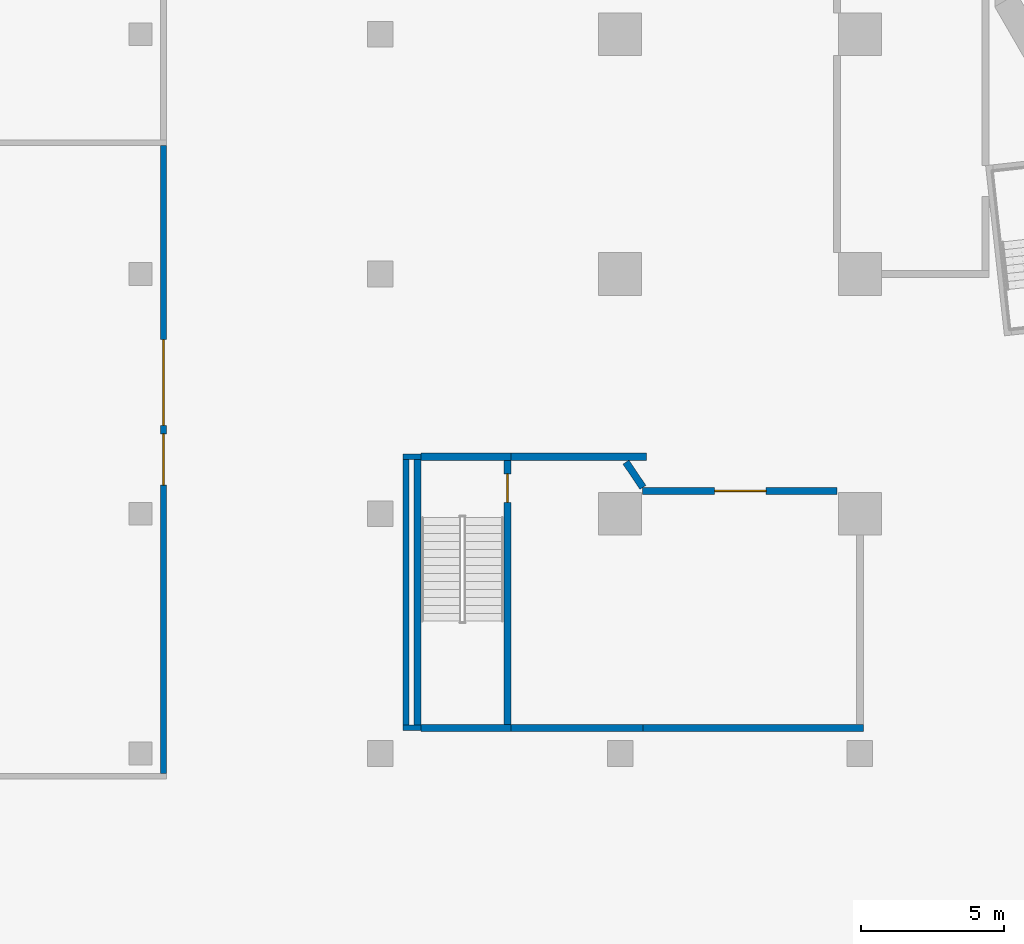
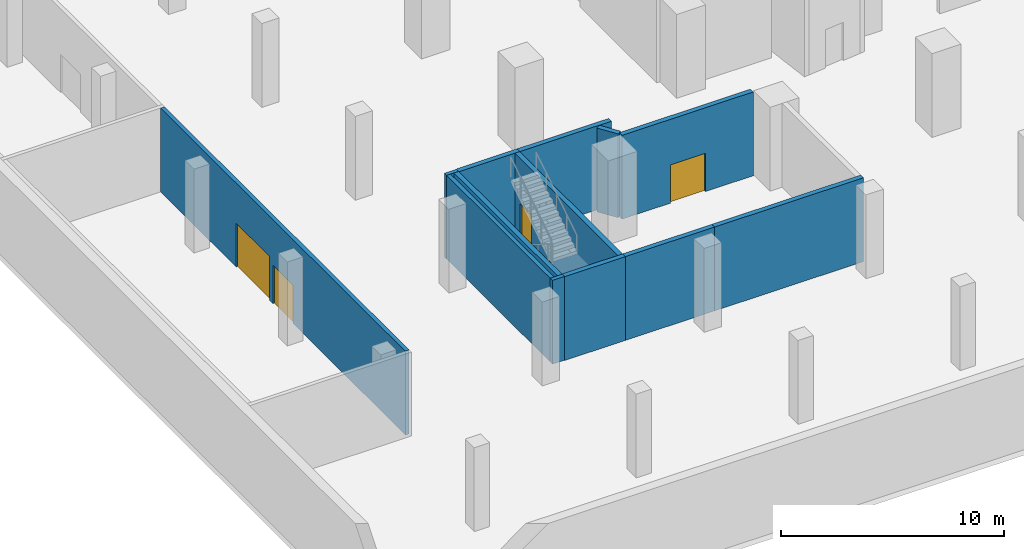
# One storey, part 2 of 20: 13 walls, 4 doors, 4 openings.
"""IFC4 building model written with IfcOpenShell, lengths in metres."""

from ifc_helpers import new_model, si_unit, direction, frame, frame_2d, origin, place, context, subcontext, project, spatial, rectangle, extrude, material, layer, layer_set, type_object, element, fill, save


model = new_model("IFC4")

# Units and contexts
model_context = context("Model", 3, precision=1e-05, world=origin(), true_north=direction((0.0, 1.0)))
body_context = subcontext(model_context, "Body", "Model", "MODEL_VIEW")
ifc_project = project(units=[si_unit("LENGTHUNIT", "METRE"), si_unit("AREAUNIT", "SQUARE_METRE"), si_unit("VOLUMEUNIT", "CUBIC_METRE"), si_unit("PLANEANGLEUNIT", "RADIAN"), si_unit("MASSUNIT", "GRAM", prefix="KILO")], contexts=[model_context])

# Site, building, storey
site_placement = place(None, origin())
site = spatial("IfcSite", under=ifc_project, at=site_placement, CompositionType="ELEMENT")
building_placement = place(site_placement, origin())
building = spatial("IfcBuilding", under=site, at=building_placement, Name="Cantera Rosa Tower", CompositionType="ELEMENT")
storey_placement = place(building_placement, frame((0.0, 0.0, -5.0)))
storey = spatial("IfcBuildingStorey", under=building, at=storey_placement, Name="B1", CompositionType="ELEMENT", Elevation=-5.0)

# Walls
ifc_material_1 = material(Name="Masonry blockwork", Category="masonry")
ifc_layer_1 = layer(ifc_material_1, 0.199951171875)
ifc_layer_set_1 = layer_set([ifc_layer_1], Name="Blockwork partition 200")
wall_type_1 = type_object("IfcWallType", Name="Blockwork partition 200", PredefinedType="PARTITIONING", material=ifc_layer_set_1)
wall_1_placement = place(storey_placement, frame((-32.699951171875, -28.39990234375, 0.0), z_axis=(0.0, 0.0, 1.0), x_axis=(0.0, 1.0, 0.0)))
element("IfcWall", 1, at=wall_1_placement, inside=storey, type_object=wall_type_1, Name="Partition B1-44", PredefinedType="PARTITIONING", context=body_context, shape_type="SweptSolid", body=[
    extrude(rectangle(XDim=9.2998046875, YDim=0.199951171875, at=frame_2d((4.64990234375, 0.0))), origin(), (0.0, 0.0, 1.0), 4.60009765625),
])
for number, where, z_axis, x_axis, name in (
    (2, (-32.800048828125, -19.0, 0.0), (0.0, 0.0, 1.0), (1.0, 0.0, 0.0), "Partition B1-50"),
    (3, (-32.800048828125, -28.5, 0.0), (0.0, 0.0, 1.0), (1.0, 0.0, 0.0), "Partition B1-55"),
):
    element("IfcWall", number, at=place(storey_placement, frame(where, z_axis=z_axis, x_axis=x_axis)), inside=storey, type_object=wall_type_1, Name=name, PredefinedType="PARTITIONING", context=body_context, shape_type="SweptSolid", body=[
        extrude(rectangle(XDim=0.625, YDim=0.199951171875, at=frame_2d((0.3125, 0.0))), origin(), (0.0, 0.0, 1.0), 4.60009765625),
    ])

# Wall, openings, doors
wall_2_placement = place(storey_placement, frame((-41.199951171875, -30.10009765625, 0.0), z_axis=(0.0, 0.0, 1.0), x_axis=(0.0, 1.0, 0.0)))
wall_2 = element("IfcWall", 4, at=wall_2_placement, inside=storey, type_object=wall_type_1, Name="Partition B1-64", PredefinedType="PARTITIONING", context=body_context, shape_type="SweptSolid", body=[
    extrude(rectangle(XDim=22.0, YDim=0.199951171875, at=frame_2d((11.0, 0.0))), origin(), (0.0, 0.0, 1.0), 4.60009765625),
])
opening_1_placement = place(wall_2_placement, frame((10.10009765625, 0.0, 0.0)))
opening_1 = element("IfcOpeningElement", 5, at=opening_1_placement, cuts=wall_2, Name="Opening B1-013", PredefinedType="OPENING", context=body_context, shape_type="SweptSolid", body=[
    extrude(rectangle(XDim=1.800048828125, YDim=2.10009765625, at=frame_2d((0.89990234375, 1.050048828125))), frame((0.0, 0.10986328125, 0.0), z_axis=(0.0, -1.0, 0.0), x_axis=(1.0, 0.0, 0.0)), (0.0, 0.0, 1.0), 0.219970703125),
])
opening_2_placement = place(wall_2_placement, frame((12.199951171875, 0.0, 0.0)))
opening_2 = element("IfcOpeningElement", 6, at=opening_2_placement, cuts=wall_2, Name="Opening B1-014", PredefinedType="OPENING", context=body_context, shape_type="SweptSolid", body=[
    extrude(rectangle(XDim=3.0, YDim=2.39990234375, at=frame_2d((1.5, 1.199951171875))), frame((0.0, 0.10986328125, 0.0), z_axis=(0.0, -1.0, 0.0), x_axis=(1.0, 0.0, 0.0)), (0.0, 0.0, 1.0), 0.219970703125),
])
ifc_material_2 = material(Name="Timber", Category="wood")
door_type_1 = type_object("IfcDoorType", Name="Double door 1800x2100", OperationType="NOTDEFINED", PredefinedType="DOOR", material=ifc_material_2)
door_1_placement = place(opening_1_placement, origin())
door_1 = element("IfcDoor", 7, at=door_1_placement, inside=storey, type_object=door_type_1, Name="Door B1-013", OperationType="DOUBLE_DOOR_SINGLE_SWING", OverallHeight=2.10009765625, OverallWidth=1.800048828125, PredefinedType="DOOR", context=body_context, shape_type="SweptSolid", body=[
    extrude(rectangle(XDim=1.800048828125, YDim=2.10009765625, at=frame_2d((0.89990234375, 1.050048828125))), frame((0.0, 0.02490234375, 0.0), z_axis=(0.0, -1.0, 0.0), x_axis=(1.0, 0.0, 0.0)), (0.0, 0.0, 1.0), 0.050048828125),
])
fill(opening_1, door_1)
ifc_material_3 = material(Name="Steel S355J2 (EN 10025-2)", Category="steel")
door_type_2 = type_object("IfcDoorType", Name="Roller shutter gate 3000x2400", OperationType="NOTDEFINED", PredefinedType="GATE", material=ifc_material_3)
door_2_placement = place(opening_2_placement, origin())
door_2 = element("IfcDoor", 8, at=door_2_placement, inside=storey, type_object=door_type_2, Name="Door B1-014", OperationType="ROLLINGUP", OverallHeight=2.39990234375, OverallWidth=3.0, PredefinedType="GATE", context=body_context, shape_type="SweptSolid", body=[
    extrude(rectangle(XDim=3.0, YDim=2.39990234375, at=frame_2d((1.5, 1.199951171875))), frame((0.0, 0.02490234375, 0.0), z_axis=(0.0, -1.0, 0.0), x_axis=(1.0, 0.0, 0.0)), (0.0, 0.0, 1.0), 0.050048828125),
])
fill(opening_2, door_2)

# Walls
ifc_material_4 = material(Name="Concrete C50/60", Category="concrete")
ifc_layer_2 = layer(ifc_material_4, 0.25)
ifc_layer_set_2 = layer_set([ifc_layer_2], Name="External stair wall 250")
wall_type_2 = type_object("IfcWallType", Name="External stair wall 250", PredefinedType="SOLIDWALL", material=ifc_layer_set_2)
for number, where, z_axis, x_axis, name in (
    (9, (-32.175048828125, -19.0, 0.0), (0.0, 0.0, 1.0), (1.0, 0.0, 0.0), "Stair wall B1-51"),
    (10, (-29.02490234375, -28.5, 0.0), (0.0, 0.0, 1.0), (-1.0, 0.0, 0.0), "Stair wall B1-56"),
):
    element("IfcWall", number, at=place(storey_placement, frame(where, z_axis=z_axis, x_axis=x_axis)), inside=storey, type_object=wall_type_2, Name=name, PredefinedType="SOLIDWALL", context=body_context, shape_type="SweptSolid", body=[
        extrude(rectangle(XDim=3.150146484375, YDim=0.25, at=frame_2d((1.5751953125, 0.0))), origin(), (0.0, 0.0, 1.0), 4.60009765625),
    ])
ifc_material_5 = material(Name="Masonry blockwork", Category="masonry")
ifc_layer_3 = layer(ifc_material_5, 0.25)
ifc_layer_set_3 = layer_set([ifc_layer_3], Name="Fire-rated external wall 250")
wall_type_3 = type_object("IfcWallType", Name="Fire-rated external wall 250", PredefinedType="PARTITIONING", material=ifc_layer_set_3)
wall_3_placement = place(storey_placement, frame((-29.02490234375, -19.0, 0.0), z_axis=(0.0, 0.0, 1.0), x_axis=(1.0, 0.0, 0.0)))
element("IfcWall", 11, at=wall_3_placement, inside=storey, type_object=wall_type_3, Name="Fire wall B1-52", PredefinedType="PARTITIONING", context=body_context, shape_type="SweptSolid", body=[
    extrude(rectangle(XDim=4.75, YDim=0.25, at=frame_2d((2.375, 0.0))), origin(), (0.0, 0.0, 1.0), 4.60009765625),
])
wall_4_placement = place(storey_placement, frame((-29.02490234375, -28.5, 0.0), z_axis=(0.0, 0.0, 1.0), x_axis=(1.0, 0.0, 0.0)))
element("IfcWall", 12, at=wall_4_placement, inside=storey, type_object=wall_type_3, Name="Fire wall B1-57", PredefinedType="PARTITIONING", context=body_context, shape_type="SweptSolid", body=[
    extrude(rectangle(XDim=4.625, YDim=0.25, at=frame_2d((2.3125, 0.0))), origin(), (0.0, 0.0, 1.0), 4.60009765625),
])
wall_5_placement = place(storey_placement, frame((-24.39990234375, -28.5, 0.0), z_axis=(0.0, 0.0, 1.0), x_axis=(1.0, 0.0, 0.0)))
element("IfcWall", 13, at=wall_5_placement, inside=storey, type_object=wall_type_3, Name="Fire wall B1-58", PredefinedType="PARTITIONING", context=body_context, shape_type="SweptSolid", body=[
    extrude(rectangle(XDim=7.724853515625, YDim=0.25, at=frame_2d((3.8623046875, 0.0))), origin(), (0.0, 0.0, 1.0), 4.60009765625),
])
ifc_material_6 = material(Name="Masonry blockwork", Category="masonry")
ifc_layer_4 = layer(ifc_material_6, 0.25)
ifc_layer_set_4 = layer_set([ifc_layer_4], Name="Fire-rated wall 250")
wall_type_4 = type_object("IfcWallType", Name="Fire-rated wall 250", PredefinedType="PARTITIONING", material=ifc_layer_set_4)
wall_6_placement = place(storey_placement, frame((-24.39990234375, -20.074951171875, 0.0), z_axis=(0.0, 0.0, 1.0), x_axis=(-0.559343029511, 0.828936291483, 0.0)))
element("IfcWall", 14, at=wall_6_placement, inside=storey, type_object=wall_type_4, Name="Fire wall B1-48", PredefinedType="PARTITIONING", context=body_context, shape_type="SweptSolid", body=[
    extrude(rectangle(XDim=1.06591796875, YDim=0.25, at=frame_2d((0.532958984375, 0.0))), origin(), (0.0, 0.0, 1.0), 4.60009765625),
])

# Wall, opening, door
wall_7_placement = place(storey_placement, frame((-24.409912109375, -20.199951171875, 0.0), z_axis=(0.0, 0.0, 1.0), x_axis=(1.0, 0.0, 0.0)))
wall_7 = element("IfcWall", 15, at=wall_7_placement, inside=storey, type_object=wall_type_4, Name="Fire wall B1-62", PredefinedType="PARTITIONING", context=body_context, shape_type="SweptSolid", body=[
    extrude(rectangle(XDim=6.809814453125, YDim=0.25, at=frame_2d((3.40478515625, 0.0))), origin(), (0.0, 0.0, 1.0), 4.60009765625),
])
opening_3_placement = place(wall_7_placement, frame((2.52490234375, 0.0, 0.0)))
opening_3 = element("IfcOpeningElement", 16, at=opening_3_placement, cuts=wall_7, Name="Opening B1-007", PredefinedType="OPENING", context=body_context, shape_type="SweptSolid", body=[
    extrude(rectangle(XDim=1.800048828125, YDim=2.10009765625, at=frame_2d((0.89990234375, 1.050048828125))), frame((0.0, 0.135009765625, 0.0), z_axis=(0.0, -1.0, 0.0), x_axis=(1.0, 0.0, 0.0)), (0.0, 0.0, 1.0), 0.27001953125),
])
ifc_material_7 = material(Name="Steel S355J2 (EN 10025-2)", Category="steel")
door_type_3 = type_object("IfcDoorType", Name="Fire double door 1800x2100", OperationType="NOTDEFINED", PredefinedType="DOOR", material=ifc_material_7)
door_3_placement = place(opening_3_placement, origin())
door_3 = element("IfcDoor", 17, at=door_3_placement, inside=storey, type_object=door_type_3, Name="Door B1-007", OperationType="DOUBLE_DOOR_SINGLE_SWING", OverallHeight=2.10009765625, OverallWidth=1.800048828125, PredefinedType="DOOR", context=body_context, shape_type="SweptSolid", body=[
    extrude(rectangle(XDim=1.800048828125, YDim=2.10009765625, at=frame_2d((0.89990234375, 1.050048828125))), frame((0.0, 0.02490234375, 0.0), z_axis=(0.0, -1.0, 0.0), x_axis=(1.0, 0.0, 0.0)), (0.0, 0.0, 1.0), 0.050048828125),
])
fill(opening_3, door_3)

ifc_material_8 = material(Name="Concrete C50/60", Category="concrete")
ifc_layer_5 = layer(ifc_material_8, 0.25)
ifc_layer_set_5 = layer_set([ifc_layer_5], Name="RC stair wall 250 C50/60")
wall_type_5 = type_object("IfcWallType", Name="RC stair wall 250", PredefinedType="SOLIDWALL", material=ifc_layer_set_5)
wall_8_placement = place(storey_placement, frame((-29.14990234375, -28.375, 0.0), z_axis=(0.0, 0.0, 1.0), x_axis=(0.0, 1.0, 0.0)))
wall_8 = element("IfcWall", 18, at=wall_8_placement, inside=storey, type_object=wall_type_5, Name="Stair wall B1-40", PredefinedType="SOLIDWALL", context=body_context, shape_type="SweptSolid", body=[
    extrude(rectangle(XDim=9.25, YDim=0.25, at=frame_2d((4.625, 0.0))), origin(), (0.0, 0.0, 1.0), 4.60009765625),
])
opening_4_placement = place(wall_8_placement, frame((7.77490234375, 0.0, 0.0)))
opening_4 = element("IfcOpeningElement", 19, at=opening_4_placement, cuts=wall_8, Name="Opening B1-008", PredefinedType="OPENING", context=body_context, shape_type="SweptSolid", body=[
    extrude(rectangle(XDim=1.0, YDim=2.10009765625, at=frame_2d((0.5, 1.050048828125))), frame((0.0, 0.135009765625, 0.0), z_axis=(0.0, -1.0, 0.0), x_axis=(1.0, 0.0, 0.0)), (0.0, 0.0, 1.0), 0.27001953125),
])
ifc_material_9 = material(Name="Steel S355J2 (EN 10025-2)", Category="steel")
door_type_4 = type_object("IfcDoorType", Name="Fire door 1000x2100 EI 120", OperationType="NOTDEFINED", PredefinedType="DOOR", material=ifc_material_9)
door_4_placement = place(opening_4_placement, origin())
door_4 = element("IfcDoor", 20, at=door_4_placement, inside=storey, type_object=door_type_4, Name="Door B1-008", OverallHeight=2.10009765625, OverallWidth=1.0, PredefinedType="DOOR", context=body_context, shape_type="SweptSolid", body=[
    extrude(rectangle(XDim=1.0, YDim=2.10009765625, at=frame_2d((0.5, 1.050048828125))), frame((0.0, 0.02490234375, 0.0), z_axis=(0.0, -1.0, 0.0), x_axis=(1.0, 0.0, 0.0)), (0.0, 0.0, 1.0), 0.050048828125),
])
fill(opening_4, door_4)

# Wall
wall_9_placement = place(storey_placement, frame((-32.300048828125, -28.39990234375, 0.0), z_axis=(0.0, 0.0, 1.0), x_axis=(0.0, 1.0, 0.0)))
element("IfcWall", 21, at=wall_9_placement, inside=storey, type_object=wall_type_5, Name="Stair wall B1-42", PredefinedType="SOLIDWALL", context=body_context, shape_type="SweptSolid", body=[
    extrude(rectangle(XDim=9.2998046875, YDim=0.25, at=frame_2d((4.64990234375, 0.0))), origin(), (0.0, 0.0, 1.0), 4.60009765625),
])

save(model, "model.ifc")
